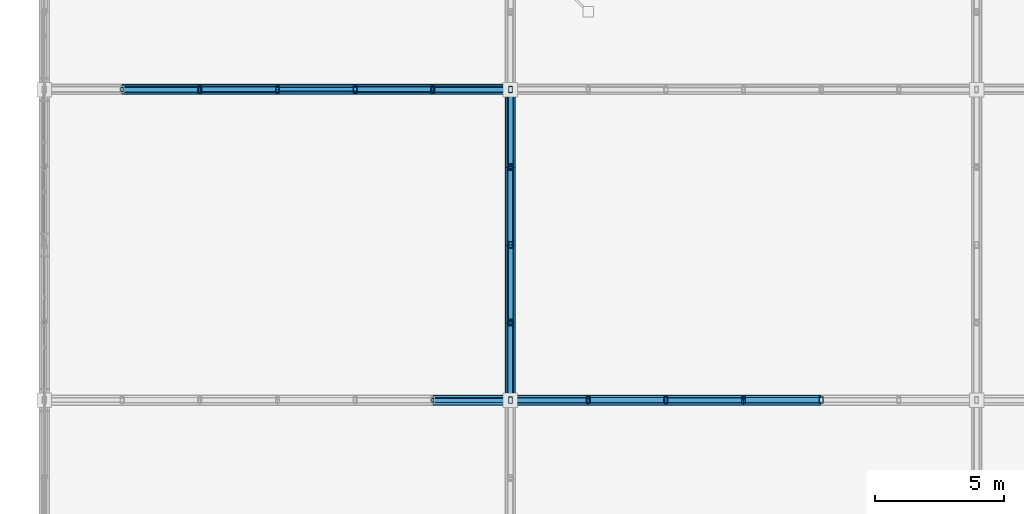
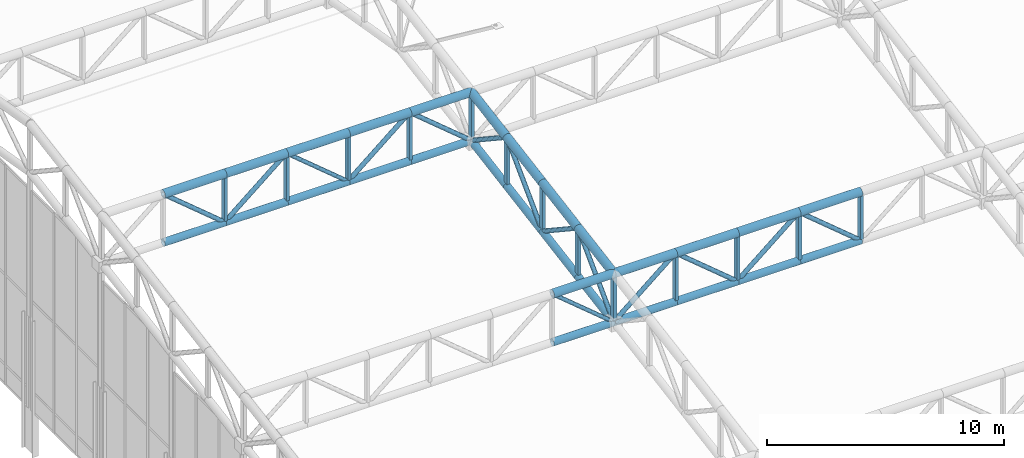
# One storey, part 82 of 239: 55 members.
"""IFC4 building model written with IfcOpenShell, lengths in metres."""

from ifc_helpers import new_model, si_unit, direction, frame, origin, origin_2d, place, context, subcontext, project, spatial, hollow_rectangle, hollow_circle, extrude, material, material_profile, profile_set, type_object, element, save


model = new_model("IFC4")

# Units and contexts
model_context = context("Model", 3, precision=1e-05, world=origin(), true_north=direction((0.0, 1.0)))
body_context = subcontext(model_context, "Body", "Model", "MODEL_VIEW")
ifc_project = project(units=[si_unit("LENGTHUNIT", "METRE"), si_unit("AREAUNIT", "SQUARE_METRE"), si_unit("VOLUMEUNIT", "CUBIC_METRE"), si_unit("PLANEANGLEUNIT", "RADIAN"), si_unit("MASSUNIT", "GRAM", prefix="KILO")], contexts=[model_context])

# Site, building, storey
site_placement = place(None, origin())
site = spatial("IfcSite", under=ifc_project, at=site_placement, CompositionType="ELEMENT")
building_placement = place(site_placement, origin())
building = spatial("IfcBuilding", under=site, at=building_placement, Name="Kaldris Quays Convention Centre", CompositionType="ELEMENT")
storey_placement = place(building_placement, frame((0.0, 0.0, 11.39990234375)))
storey = spatial("IfcBuildingStorey", under=building, at=storey_placement, Name="L02", CompositionType="ELEMENT", Elevation=11.39990234375)

# Members
ifc_material = material(Name="Steel S355J2H", Category="steel")
ifc_material_profile_1 = material_profile(ifc_material, hollow_circle(Radius=0.203125, WallThickness=0.01611328125, at=origin_2d()), Name="CHS 406.4x16")
ifc_profile_set_1 = profile_set([ifc_material_profile_1], Name="Steel S355J2H")
member_type_1 = type_object("IfcMemberType", Name="STRUCTURAL MEMBER SC01", PredefinedType="CHORD", material=ifc_profile_set_1)
for number, where, z_axis, x_axis, name in (
    (1, (35.0, 80.0, 13.7861328125), (1.0, 0.0, 0.0), (0.0, 1.0, 0.0), "SF-V1 Top Chord X 90"),
    (2, (38.0, 80.0, 13.7861328125), (1.0, 0.0, 0.0), (0.0, 1.0, 0.0), "SF-V1 Top Chord X 91"),
    (3, (41.0, 80.0, 13.7861328125), (1.0, 0.0, 0.0), (0.0, 1.0, 0.0), "SF-V1 Top Chord X 92"),
    (4, (44.0, 80.0, 13.7861328125), (1.0, 0.0, 0.0), (0.0, 1.0, 0.0), "SF-V1 Top Chord X 93"),
    (5, (47.0, 80.0, 13.7861328125), (1.0, 0.0, 0.0), (0.0, 1.0, 0.0), "SF-V1 Top Chord X 94"),
    (6, (23.0, 92.0, 15.84326171875), (1.0, 0.0, 0.0), (0.0, 1.0, 0.0), "SF-V1 Top Chord X 128"),
    (7, (26.0, 92.0, 15.84326171875), (1.0, 0.0, 0.0), (0.0, 1.0, 0.0), "SF-V1 Top Chord X 129"),
    (8, (29.0, 92.0, 15.84326171875), (1.0, 0.0, 0.0), (0.0, 1.0, 0.0), "SF-V1 Top Chord X 130"),
    (9, (32.0, 92.0, 15.84326171875), (1.0, 0.0, 0.0), (0.0, 1.0, 0.0), "SF-V1 Top Chord X 131"),
    (10, (35.0, 92.0, 15.84326171875), (1.0, 0.0, 0.0), (0.0, 1.0, 0.0), "SF-V1 Top Chord X 132"),
):
    element("IfcMember", number, at=place(storey_placement, frame(where, z_axis=z_axis, x_axis=x_axis)), inside=storey, type_object=member_type_1, Name=name, PredefinedType="CHORD", context=body_context, shape_type="SweptSolid", body=[
        extrude(hollow_circle(Radius=0.203125, WallThickness=0.01611328125, at=origin_2d()), origin(), (0.0, 0.0, 1.0), 3.0),
    ])
for number, where, z_axis, x_axis, name in (
    (11, (38.0, 80.0, 13.7861328125), (0.0, 0.985615766076, 0.169001661712), (-1.0, 0.0, 0.0), "SF-V1 Top Chord Y 373"),
    (12, (38.0, 83.0, 14.300537109375), (0.0, 0.98562912375, 0.168923741424), (-1.0, 0.0, 0.0), "SF-V1 Top Chord Y 374"),
    (13, (38.0, 86.0, 14.814697265625), (0.0, 0.985615766076, 0.169001661712), (-1.0, 0.0, 0.0), "SF-V1 Top Chord Y 375"),
    (14, (38.0, 89.0, 15.3291015625), (0.0, 0.98562912375, 0.168923741424), (-1.0, 0.0, 0.0), "SF-V1 Top Chord Y 376"),
):
    element("IfcMember", number, at=place(storey_placement, frame(where, z_axis=z_axis, x_axis=x_axis)), inside=storey, type_object=member_type_1, Name=name, PredefinedType="CHORD", context=body_context, shape_type="SweptSolid", body=[
        extrude(hollow_circle(Radius=0.203125, WallThickness=0.01611328125, at=origin_2d()), origin(), (0.0, 0.0, 1.0), 3.043701171875),
    ])
ifc_material_profile_2 = material_profile(ifc_material, hollow_circle(Radius=0.177734375, WallThickness=0.01611328125, at=origin_2d()), Name="CHS 355.6x16")
ifc_profile_set_2 = profile_set([ifc_material_profile_2], Name="Steel S355J2H")
member_type_2 = type_object("IfcMemberType", Name="STRUCTURAL MEMBER SC02", PredefinedType="CHORD", material=ifc_profile_set_2)
for number, where, z_axis, x_axis, name in (
    (15, (35.0, 80.0, 11.2861328125), (1.0, 0.0, 0.0), (0.0, 1.0, 0.0), "SF-V1 Bottom Chord X 90"),
    (16, (38.0, 80.0, 11.2861328125), (1.0, 0.0, 0.0), (0.0, 1.0, 0.0), "SF-V1 Bottom Chord X 91"),
    (17, (41.0, 80.0, 11.2861328125), (1.0, 0.0, 0.0), (0.0, 1.0, 0.0), "SF-V1 Bottom Chord X 92"),
    (18, (44.0, 80.0, 11.2861328125), (1.0, 0.0, 0.0), (0.0, 1.0, 0.0), "SF-V1 Bottom Chord X 93"),
    (19, (47.0, 80.0, 11.2861328125), (1.0, 0.0, 0.0), (0.0, 1.0, 0.0), "SF-V1 Bottom Chord X 94"),
    (20, (23.0, 92.0, 13.34326171875), (1.0, 0.0, 0.0), (0.0, 1.0, 0.0), "SF-V1 Bottom Chord X 128"),
    (21, (26.0, 92.0, 13.34326171875), (1.0, 0.0, 0.0), (0.0, 1.0, 0.0), "SF-V1 Bottom Chord X 129"),
    (22, (29.0, 92.0, 13.34326171875), (1.0, 0.0, 0.0), (0.0, 1.0, 0.0), "SF-V1 Bottom Chord X 130"),
    (23, (32.0, 92.0, 13.34326171875), (1.0, 0.0, 0.0), (0.0, 1.0, 0.0), "SF-V1 Bottom Chord X 131"),
    (24, (35.0, 92.0, 13.34326171875), (1.0, 0.0, 0.0), (0.0, 1.0, 0.0), "SF-V1 Bottom Chord X 132"),
):
    element("IfcMember", number, at=place(storey_placement, frame(where, z_axis=z_axis, x_axis=x_axis)), inside=storey, type_object=member_type_2, Name=name, PredefinedType="CHORD", context=body_context, shape_type="SweptSolid", body=[
        extrude(hollow_circle(Radius=0.177734375, WallThickness=0.01611328125, at=origin_2d()), origin(), (0.0, 0.0, 1.0), 3.0),
    ])
for number, where, z_axis, x_axis, name in (
    (25, (38.0, 80.0, 11.2861328125), (0.0, 0.985615766076, 0.169001661712), (-1.0, 0.0, 0.0), "SF-V1 Bottom Chord Y 373"),
    (26, (38.0, 83.0, 11.800537109375), (0.0, 0.98562912375, 0.168923741424), (-1.0, 0.0, 0.0), "SF-V1 Bottom Chord Y 374"),
    (27, (38.0, 86.0, 12.314697265625), (0.0, 0.985615766076, 0.169001661712), (-1.0, 0.0, 0.0), "SF-V1 Bottom Chord Y 375"),
    (28, (38.0, 89.0, 12.8291015625), (0.0, 0.98562912375, 0.168923741424), (-1.0, 0.0, 0.0), "SF-V1 Bottom Chord Y 376"),
):
    element("IfcMember", number, at=place(storey_placement, frame(where, z_axis=z_axis, x_axis=x_axis)), inside=storey, type_object=member_type_2, Name=name, PredefinedType="CHORD", context=body_context, shape_type="SweptSolid", body=[
        extrude(hollow_circle(Radius=0.177734375, WallThickness=0.01611328125, at=origin_2d()), origin(), (0.0, 0.0, 1.0), 3.043701171875),
    ])
ifc_material_profile_3 = material_profile(ifc_material, hollow_circle(Radius=0.109619140625, WallThickness=0.010009765625, at=origin_2d()), Name="CHS 219.1x10")
ifc_profile_set_3 = profile_set([ifc_material_profile_3], Name="Steel S355J2H")
member_type_3 = type_object("IfcMemberType", Name="STRUCTURAL MEMBER SWB1", PredefinedType="BRACE", material=ifc_profile_set_3)
for number, where, z_axis, x_axis, name in (
    (29, (38.0, 80.0, 11.2861328125), (0.768221279597, 0.0, 0.640184399664), (0.0, 1.0, 0.0), "SF-V1 Web Diagonal X 91"),
    (30, (44.0, 80.0, 11.2861328125), (-0.768221279597, 0.0, 0.640184399664), (0.0, -1.0, 0.0), "SF-V1 Web Diagonal X 92"),
    (31, (44.0, 80.0, 11.2861328125), (0.768221279597, 0.0, 0.640184399664), (0.0, 1.0, 0.0), "SF-V1 Web Diagonal X 93"),
    (32, (50.0, 80.0, 11.2861328125), (-0.768221279597, 0.0, 0.640184399664), (0.0, -1.0, 0.0), "SF-V1 Web Diagonal X 94"),
    (33, (26.0, 92.0, 13.34326171875), (-0.768221279597, 0.0, 0.640184399664), (0.0, -1.0, 0.0), "SF-V1 Web Diagonal X 128"),
    (34, (26.0, 92.0, 13.34326171875), (0.768221279597, 0.0, 0.640184399664), (0.0, 1.0, 0.0), "SF-V1 Web Diagonal X 129"),
    (35, (32.0, 92.0, 13.34326171875), (0.768221279597, 0.0, 0.640184399664), (0.0, 1.0, 0.0), "SF-V1 Web Diagonal X 131"),
    (36, (38.0, 92.0, 13.34326171875), (-0.768221279597, 0.0, 0.640184399664), (0.0, -1.0, 0.0), "SF-V1 Web Diagonal X 132"),
):
    element("IfcMember", number, at=place(storey_placement, frame(where, z_axis=z_axis, x_axis=x_axis)), inside=storey, type_object=member_type_3, Name=name, PredefinedType="BRACE", context=body_context, shape_type="SweptSolid", body=[
        extrude(hollow_circle(Radius=0.109619140625, WallThickness=0.010009765625, at=origin_2d()), origin(), (0.0, 0.0, 1.0), 3.905029296875),
    ])
member_1_placement = place(storey_placement, frame((38.0, 80.0, 11.2861328125), z_axis=(0.0, 0.705411261057, 0.708798245465), x_axis=(-1.0, 0.0, 0.0)))
element("IfcMember", 37, at=member_1_placement, inside=storey, type_object=member_type_3, Name="SF-V1 Web Diagonal Y 373", PredefinedType="BRACE", context=body_context, shape_type="SweptSolid", body=[
    extrude(hollow_circle(Radius=0.109619140625, WallThickness=0.010009765625, at=origin_2d()), origin(), (0.0, 0.0, 1.0), 4.2529296875),
])
member_2_placement = place(storey_placement, frame((38.0, 86.0, 12.314697265625), z_axis=(0.0, -0.833862389808, 0.551972385962), x_axis=(1.0, 0.0, 0.0)))
element("IfcMember", 38, at=member_2_placement, inside=storey, type_object=member_type_3, Name="SF-V1 Web Diagonal Y 374", PredefinedType="BRACE", context=body_context, shape_type="SweptSolid", body=[
    extrude(hollow_circle(Radius=0.109619140625, WallThickness=0.010009765625, at=origin_2d()), origin(), (0.0, 0.0, 1.0), 3.59765625),
])
member_3_placement = place(storey_placement, frame((38.0, 86.0, 12.314697265625), z_axis=(0.0, 0.705411261057, 0.708798245465), x_axis=(-1.0, 0.0, 0.0)))
element("IfcMember", 39, at=member_3_placement, inside=storey, type_object=member_type_3, Name="SF-V1 Web Diagonal Y 375", PredefinedType="BRACE", context=body_context, shape_type="SweptSolid", body=[
    extrude(hollow_circle(Radius=0.109619140625, WallThickness=0.010009765625, at=origin_2d()), origin(), (0.0, 0.0, 1.0), 4.2529296875),
])
member_4_placement = place(storey_placement, frame((38.0, 92.0, 13.34326171875), z_axis=(0.0, -0.833862389808, 0.551972385962), x_axis=(1.0, 0.0, 0.0)))
element("IfcMember", 40, at=member_4_placement, inside=storey, type_object=member_type_3, Name="SF-V1 Web Diagonal Y 376", PredefinedType="BRACE", context=body_context, shape_type="SweptSolid", body=[
    extrude(hollow_circle(Radius=0.109619140625, WallThickness=0.010009765625, at=origin_2d()), origin(), (0.0, 0.0, 1.0), 3.59765625),
])
ifc_material_profile_4 = material_profile(ifc_material, hollow_circle(Radius=0.096923828125, WallThickness=0.008056640625, at=origin_2d()), Name="CHS 193.7x8")
ifc_profile_set_4 = profile_set([ifc_material_profile_4], Name="Steel S355J2H")
member_type_4 = type_object("IfcMemberType", Name="STRUCTURAL MEMBER SWB3", PredefinedType="BRACE", material=ifc_profile_set_4)
for number, where, z_axis, x_axis, name in (
    (41, (38.0, 80.0, 11.2861328125), (-0.768221279597, 0.0, 0.640184399664), (0.0, -1.0, 0.0), "SF-V1 Web Diagonal X 90"),
    (42, (32.0, 92.0, 13.34326171875), (-0.768221279597, 0.0, 0.640184399664), (0.0, -1.0, 0.0), "SF-V1 Web Diagonal X 130"),
):
    element("IfcMember", number, at=place(storey_placement, frame(where, z_axis=z_axis, x_axis=x_axis)), inside=storey, type_object=member_type_4, Name=name, PredefinedType="BRACE", context=body_context, shape_type="SweptSolid", body=[
        extrude(hollow_circle(Radius=0.096923828125, WallThickness=0.008056640625, at=origin_2d()), origin(), (0.0, 0.0, 1.0), 3.905029296875),
    ])
ifc_material_profile_5 = material_profile(ifc_material, hollow_rectangle(XDim=0.14990234375, YDim=0.25, WallThickness=0.010009765625, at=origin_2d()), Name="RHS 250x150x10")
ifc_profile_set_5 = profile_set([ifc_material_profile_5], Name="Steel S355J2H")
member_type_5 = type_object("IfcMemberType", Name="STRUCTURAL MEMBER TTV1", PredefinedType="POST", material=ifc_profile_set_5)
for number, where, z_axis, x_axis, name in (
    (43, (26.0, 92.0, 13.34326171875), (0.0, 0.0, 1.0), (1.0, 0.0, 0.0), "SF-V1 Space-Frame Post 41"),
    (44, (29.0, 92.0, 13.34326171875), (0.0, 0.0, 1.0), (1.0, 0.0, 0.0), "SF-V1 Space-Frame Post 49"),
    (45, (32.0, 92.0, 13.34326171875), (0.0, 0.0, 1.0), (1.0, 0.0, 0.0), "SF-V1 Space-Frame Post 57"),
    (46, (35.0, 92.0, 13.34326171875), (0.0, 0.0, 1.0), (1.0, 0.0, 0.0), "SF-V1 Space-Frame Post 65"),
    (47, (38.0, 80.0, 11.2861328125), (0.0, 0.0, 1.0), (1.0, 0.0, 0.0), "SF-V1 Space-Frame Post 78"),
    (48, (38.0, 83.0, 11.800537109375), (0.0, 0.0, 1.0), (1.0, 0.0, 0.0), "SF-V1 Space-Frame Post 79"),
    (49, (38.0, 86.0, 12.314697265625), (0.0, 0.0, 1.0), (1.0, 0.0, 0.0), "SF-V1 Space-Frame Post 80"),
    (50, (38.0, 89.0, 12.8291015625), (0.0, 0.0, 1.0), (1.0, 0.0, 0.0), "SF-V1 Space-Frame Post 81"),
    (51, (38.0, 92.0, 13.34326171875), (0.0, 0.0, 1.0), (1.0, 0.0, 0.0), "SF-V1 Space-Frame Post 82"),
    (52, (41.0, 80.0, 11.2861328125), (0.0, 0.0, 1.0), (1.0, 0.0, 0.0), "SF-V1 Space-Frame Post 101"),
    (53, (44.0, 80.0, 11.2861328125), (0.0, 0.0, 1.0), (1.0, 0.0, 0.0), "SF-V1 Space-Frame Post 109"),
    (54, (47.0, 80.0, 11.2861328125), (0.0, 0.0, 1.0), (1.0, 0.0, 0.0), "SF-V1 Space-Frame Post 117"),
    (55, (50.0, 80.0, 11.2861328125), (0.0, 0.0, 1.0), (1.0, 0.0, 0.0), "SF-V1 Space-Frame Post 125"),
):
    element("IfcMember", number, at=place(storey_placement, frame(where, z_axis=z_axis, x_axis=x_axis)), inside=storey, type_object=member_type_5, Name=name, PredefinedType="POST", context=body_context, shape_type="SweptSolid", body=[
        extrude(hollow_rectangle(XDim=0.14990234375, YDim=0.25, WallThickness=0.010009765625, at=origin_2d()), origin(), (0.0, 0.0, 1.0), 2.5),
    ])

save(model, "model.ifc")
